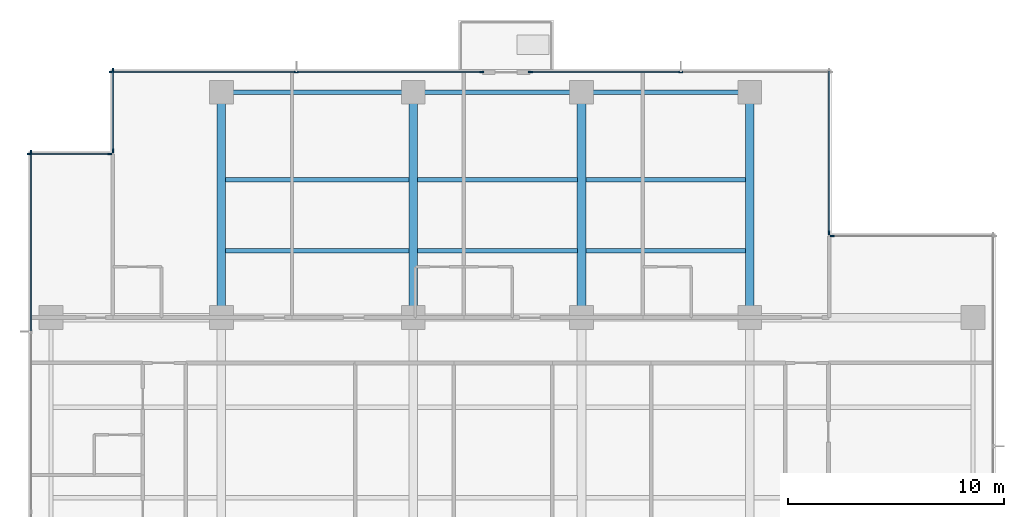
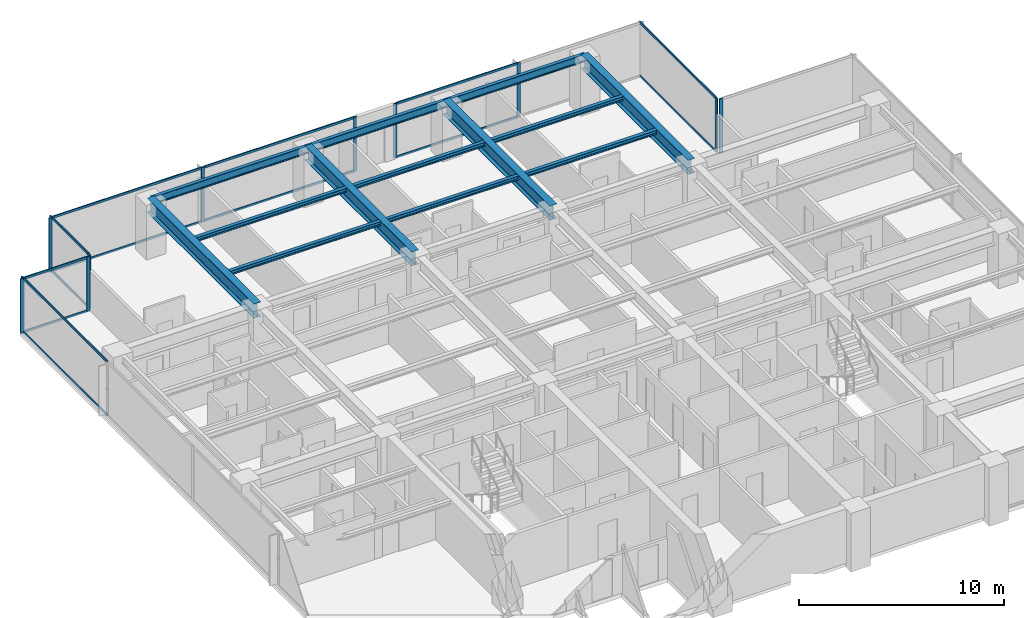
# One storey, part 4 of 16: 26 members, 13 beams, 7 elements without a shape of their own.
"""IFC4 building model written with IfcOpenShell, lengths in metres."""

from ifc_helpers import new_model, si_unit, direction, frame, origin, origin_2d, place, context, subcontext, project, spatial, rectangle, i_section, extrude, material, layer, layer_set, material_profile, profile_set, type_object, element, aggregate, save


model = new_model("IFC4")

# Units and contexts
model_context = context("Model", 3, precision=1e-05, world=origin(), true_north=direction((0.0, 1.0)))
body_context = subcontext(model_context, "Body", "Model", "MODEL_VIEW")
ifc_project = project(units=[si_unit("LENGTHUNIT", "METRE"), si_unit("AREAUNIT", "SQUARE_METRE"), si_unit("VOLUMEUNIT", "CUBIC_METRE"), si_unit("PLANEANGLEUNIT", "RADIAN"), si_unit("MASSUNIT", "GRAM", prefix="KILO")], contexts=[model_context])

# Site, building, storey
site_placement = place(None, origin())
site = spatial("IfcSite", under=ifc_project, at=site_placement, CompositionType="ELEMENT")
building_placement = place(site_placement, origin())
building = spatial("IfcBuilding", under=site, at=building_placement, Name="Qalmaran Belvedere Hotel", CompositionType="ELEMENT")
storey_placement = place(building_placement, frame((0.0, 0.0, 145.60009765625)))
storey = spatial("IfcBuildingStorey", under=building, at=storey_placement, Name="L36", CompositionType="ELEMENT", Elevation=145.60009765625)

# Beams
ifc_material_1 = material(Name="Steel S355JR", Category="steel")
ifc_material_profile_1 = material_profile(ifc_material_1, i_section(OverallWidth=0.201904296875, OverallDepth=0.2470703125, WebThickness=0.00732421875, FlangeThickness=0.010986328125, FilletRadius=0.011962890625, at=origin_2d()), Name="W250X49")
ifc_profile_set_1 = profile_set([ifc_material_profile_1], Name="Steel S355JR")
beam_type_1 = type_object("IfcBeamType", Name="BM-JST-W250X49", PredefinedType="JOIST", material=ifc_profile_set_1)
beam_1_placement = place(storey_placement, frame((20.498046875, 36.10009765625, 3.12646484375), z_axis=(1.0, 0.0, 0.0), x_axis=(0.0, 1.0, 0.0)))
element("IfcBeam", 1, at=beam_1_placement, inside=storey, type_object=beam_type_1, Name="L36 North Floor Joist 042", PredefinedType="JOIST", context=body_context, shape_type="SweptSolid", body=[
    extrude(i_section(OverallWidth=0.201904296875, OverallDepth=0.2470703125, WebThickness=0.00732421875, FlangeThickness=0.010986328125, FilletRadius=0.011962890625, at=origin_2d()), origin(), (0.0, 0.0, 1.0), 8.50390625),
])
for number, where, z_axis, x_axis, name in (
    (2, (29.39794921875, 36.10009765625, 3.12646484375), (1.0, 0.0, 0.0), (0.0, 1.0, 0.0), "L36 North Floor Joist 043"),
    (3, (37.197998046875, 36.10009765625, 3.12646484375), (1.0, 0.0, 0.0), (0.0, 1.0, 0.0), "L36 North Floor Joist 044"),
):
    element("IfcBeam", number, at=place(storey_placement, frame(where, z_axis=z_axis, x_axis=x_axis)), inside=storey, type_object=beam_type_1, Name=name, PredefinedType="JOIST", context=body_context, shape_type="SweptSolid", body=[
        extrude(i_section(OverallWidth=0.201904296875, OverallDepth=0.2470703125, WebThickness=0.00732421875, FlangeThickness=0.010986328125, FilletRadius=0.011962890625, at=origin_2d()), origin(), (0.0, 0.0, 1.0), 7.404052734375),
    ])
beam_2_placement = place(storey_placement, frame((20.498046875, 39.39990234375, 3.12646484375), z_axis=(1.0, 0.0, 0.0), x_axis=(0.0, 1.0, 0.0)))
element("IfcBeam", 4, at=beam_2_placement, inside=storey, type_object=beam_type_1, Name="L36 North Floor Joist 045", PredefinedType="JOIST", context=body_context, shape_type="SweptSolid", body=[
    extrude(i_section(OverallWidth=0.201904296875, OverallDepth=0.2470703125, WebThickness=0.00732421875, FlangeThickness=0.010986328125, FilletRadius=0.011962890625, at=origin_2d()), origin(), (0.0, 0.0, 1.0), 8.50390625),
])
for number, where, z_axis, x_axis, name in (
    (5, (29.39794921875, 39.39990234375, 3.12646484375), (1.0, 0.0, 0.0), (0.0, 1.0, 0.0), "L36 North Floor Joist 046"),
    (6, (37.197998046875, 39.39990234375, 3.12646484375), (1.0, 0.0, 0.0), (0.0, 1.0, 0.0), "L36 North Floor Joist 047"),
):
    element("IfcBeam", number, at=place(storey_placement, frame(where, z_axis=z_axis, x_axis=x_axis)), inside=storey, type_object=beam_type_1, Name=name, PredefinedType="JOIST", context=body_context, shape_type="SweptSolid", body=[
        extrude(i_section(OverallWidth=0.201904296875, OverallDepth=0.2470703125, WebThickness=0.00732421875, FlangeThickness=0.010986328125, FilletRadius=0.011962890625, at=origin_2d()), origin(), (0.0, 0.0, 1.0), 7.404052734375),
    ])
ifc_material_profile_2 = material_profile(ifc_material_1, i_section(OverallWidth=0.39990234375, OverallDepth=0.85498046875, WebThickness=0.018310546875, FlangeThickness=0.029296875, FilletRadius=0.02392578125, at=origin_2d()), Name="W840X299")
ifc_profile_set_2 = profile_set([ifc_material_profile_2], Name="Steel S355JR")
beam_type_2 = type_object("IfcBeamType", Name="BM-PG3-W840X299", PredefinedType="USERDEFINED", material=ifc_profile_set_2)
for number, where, z_axis, x_axis, name in (
    (7, (20.300048828125, 33.0, 2.822509765625), (0.0, 1.0, 0.0), (-1.0, 0.0, 0.0), "L36 North Bay Girder 15"),
    (8, (29.199951171875, 33.0, 2.822509765625), (0.0, 1.0, 0.0), (-1.0, 0.0, 0.0), "L36 North Bay Girder 17"),
    (9, (37.0, 33.0, 2.822509765625), (0.0, 1.0, 0.0), (-1.0, 0.0, 0.0), "L36 North Bay Girder 19"),
    (10, (44.800048828125, 33.0, 2.822509765625), (0.0, 1.0, 0.0), (-1.0, 0.0, 0.0), "L36 North Bay Girder 21"),
):
    element("IfcBeam", number, at=place(storey_placement, frame(where, z_axis=z_axis, x_axis=x_axis)), inside=storey, type_object=beam_type_2, Name=name, ObjectType="GIRDER", PredefinedType="USERDEFINED", context=body_context, shape_type="SweptSolid", body=[
        extrude(i_section(OverallWidth=0.39990234375, OverallDepth=0.85498046875, WebThickness=0.018310546875, FlangeThickness=0.029296875, FilletRadius=0.02392578125, at=origin_2d()), origin(), (0.0, 0.0, 1.0), 10.449951171875),
    ])
ifc_material_profile_3 = material_profile(ifc_material_1, i_section(OverallWidth=0.19189453125, OverallDepth=0.462890625, WebThickness=0.010498046875, FlangeThickness=0.017578125, FilletRadius=0.01611328125, at=origin_2d()), Name="W460X89")
ifc_profile_set_3 = profile_set([ifc_material_profile_3], Name="Steel S355JR")
beam_type_3 = type_object("IfcBeamType", Name="BM-SP2-W460X89", PredefinedType="SPANDREL", material=ifc_profile_set_3)
beam_3_placement = place(storey_placement, frame((20.300048828125, 43.449951171875, 3.018310546875), z_axis=(1.0, 0.0, 0.0), x_axis=(0.0, 1.0, 0.0)))
element("IfcBeam", 11, at=beam_3_placement, inside=storey, type_object=beam_type_3, Name="L36 Perimeter Spandrel 05", PredefinedType="SPANDREL", context=body_context, shape_type="SweptSolid", body=[
    extrude(i_section(OverallWidth=0.19189453125, OverallDepth=0.462890625, WebThickness=0.010498046875, FlangeThickness=0.017578125, FilletRadius=0.01611328125, at=origin_2d()), origin(), (0.0, 0.0, 1.0), 8.89990234375),
])
for number, where, z_axis, x_axis, name in (
    (12, (29.199951171875, 43.449951171875, 3.018310546875), (1.0, 0.0, 0.0), (0.0, 1.0, 0.0), "L36 Perimeter Spandrel 06"),
    (13, (37.0, 43.449951171875, 3.018310546875), (1.0, 0.0, 0.0), (0.0, 1.0, 0.0), "L36 Perimeter Spandrel 07"),
):
    element("IfcBeam", number, at=place(storey_placement, frame(where, z_axis=z_axis, x_axis=x_axis)), inside=storey, type_object=beam_type_3, Name=name, PredefinedType="SPANDREL", context=body_context, shape_type="SweptSolid", body=[
        extrude(i_section(OverallWidth=0.19189453125, OverallDepth=0.462890625, WebThickness=0.010498046875, FlangeThickness=0.017578125, FilletRadius=0.01611328125, at=origin_2d()), origin(), (0.0, 0.0, 1.0), 7.800048828125),
    ])

# Curtain wall, member
ifc_material_2 = material(Name="Anodised Bronze Aluminium", Category="aluminium")
ifc_layer = layer(ifc_material_2, 0.195068359375, Name="Anodised Bronze Aluminium")
ifc_layer_set = layer_set([ifc_layer], Name="Anodised Bronze Aluminium")
curtain_wall_type = type_object("IfcCurtainWallType", Name="CW4-TOWER-HIGHMID", PredefinedType="NOTDEFINED", material=ifc_layer_set)
curtain_wall_1_placement = place(storey_placement, origin())
curtain_wall_1 = element("IfcCurtainWall", 14, at=curtain_wall_1_placement, inside=storey, type_object=curtain_wall_type, Name="L36 Curtain Wall CW4", PredefinedType="NOTDEFINED")
ifc_material_profile_4 = material_profile(ifc_material_2, rectangle(XDim=0.070068359375, YDim=0.18994140625, at=origin_2d()), Name="CWM70X190")
ifc_profile_set_4 = profile_set([ifc_material_profile_4], Name="Anodised Bronze Aluminium")
member_type_1 = type_object("IfcMemberType", Name="CWM-70X190", PredefinedType="MULLION", material=ifc_profile_set_4)
member_1_placement = place(storey_placement, frame((48.635009765625, 36.780029296875, 0.0), z_axis=(0.0, 0.0, 1.0), x_axis=(0.0, -1.0, 0.0)))
member_1 = element("IfcMember", 15, at=member_1_placement, type_object=member_type_1, Name="CW4 mullion 2", PredefinedType="MULLION", context=body_context, shape_type="SweptSolid", body=[
    extrude(rectangle(XDim=0.070068359375, YDim=0.18994140625, at=origin_2d()), origin(), (0.0, 0.0, 1.0), 3.25),
])
aggregate(curtain_wall_1, [member_1])

curtain_wall_2_placement = place(storey_placement, origin())
curtain_wall_2 = element("IfcCurtainWall", 16, at=curtain_wall_2_placement, inside=storey, type_object=curtain_wall_type, Name="L36 Curtain Wall CW4", PredefinedType="NOTDEFINED")
member_2_placement = place(storey_placement, frame((48.47998046875, 36.93505859375, 0.0), z_axis=(0.0, 0.0, 1.0), x_axis=(-1.0, 0.0, 0.0)))
member_2 = element("IfcMember", 17, at=member_2_placement, type_object=member_type_1, Name="CW4 mullion 1", PredefinedType="MULLION", context=body_context, shape_type="SweptSolid", body=[
    extrude(rectangle(XDim=0.070068359375, YDim=0.18994140625, at=origin_2d()), origin(), (0.0, 0.0, 1.0), 3.25),
])

# Curtain wall, members
curtain_wall_3_placement = place(storey_placement, origin())
curtain_wall_3 = element("IfcCurtainWall", 18, at=curtain_wall_3_placement, inside=storey, type_object=curtain_wall_type, Name="L36 Curtain Wall CW4", PredefinedType="NOTDEFINED")
member_3_placement = place(storey_placement, frame((32.364990234375, 44.3798828125, 0.0), z_axis=(0.0, 0.0, 1.0), x_axis=(0.0, -1.0, 0.0)))
member_3 = element("IfcMember", 19, at=member_3_placement, type_object=member_type_1, Name="CW4 mullion 1", PredefinedType="MULLION", context=body_context, shape_type="SweptSolid", body=[
    extrude(rectangle(XDim=0.070068359375, YDim=0.18994140625, at=origin_2d()), origin(), (0.0, 0.0, 1.0), 3.25),
])
member_4_placement = place(storey_placement, frame((23.77490234375, 44.3798828125, 0.0), z_axis=(0.0, 0.0, 1.0), x_axis=(0.0, -1.0, 0.0)))
member_4 = element("IfcMember", 20, at=member_4_placement, type_object=member_type_1, Name="CW4 mullion 2", PredefinedType="MULLION", context=body_context, shape_type="SweptSolid", body=[
    extrude(rectangle(XDim=0.070068359375, YDim=0.18994140625, at=origin_2d()), origin(), (0.0, 0.0, 1.0), 3.25),
])
member_5_placement = place(storey_placement, frame((15.18505859375, 44.3798828125, 0.0), z_axis=(0.0, 0.0, 1.0), x_axis=(0.0, -1.0, 0.0)))
member_5 = element("IfcMember", 21, at=member_5_placement, type_object=member_type_1, Name="CW4 mullion 3", PredefinedType="MULLION", context=body_context, shape_type="SweptSolid", body=[
    extrude(rectangle(XDim=0.070068359375, YDim=0.18994140625, at=origin_2d()), origin(), (0.0, 0.0, 1.0), 3.25),
])

curtain_wall_4_placement = place(storey_placement, origin())
curtain_wall_4 = element("IfcCurtainWall", 22, at=curtain_wall_4_placement, inside=storey, type_object=curtain_wall_type, Name="L36 Curtain Wall CW4", PredefinedType="NOTDEFINED")
member_6_placement = place(storey_placement, frame((41.60009765625, 44.3798828125, 0.0), z_axis=(0.0, 0.0, 1.0), x_axis=(0.0, -1.0, 0.0)))
member_6 = element("IfcMember", 23, at=member_6_placement, type_object=member_type_1, Name="CW4 mullion 2", PredefinedType="MULLION", context=body_context, shape_type="SweptSolid", body=[
    extrude(rectangle(XDim=0.070068359375, YDim=0.18994140625, at=origin_2d()), origin(), (0.0, 0.0, 1.0), 3.25),
])
member_7_placement = place(storey_placement, frame((34.635009765625, 44.3798828125, 0.0), z_axis=(0.0, 0.0, 1.0), x_axis=(0.0, -1.0, 0.0)))
member_7 = element("IfcMember", 24, at=member_7_placement, type_object=member_type_1, Name="CW4 mullion 3", PredefinedType="MULLION", context=body_context, shape_type="SweptSolid", body=[
    extrude(rectangle(XDim=0.070068359375, YDim=0.18994140625, at=origin_2d()), origin(), (0.0, 0.0, 1.0), 3.25),
])

curtain_wall_5_placement = place(storey_placement, origin())
curtain_wall_5 = element("IfcCurtainWall", 25, at=curtain_wall_5_placement, inside=storey, type_object=curtain_wall_type, Name="L36 Curtain Wall CW4", PredefinedType="NOTDEFINED")
member_8_placement = place(storey_placement, frame((15.27001953125, 44.465087890625, 0.0), z_axis=(0.0, 0.0, 1.0), x_axis=(1.0, 0.0, 0.0)))
member_8 = element("IfcMember", 26, at=member_8_placement, type_object=member_type_1, Name="CW4 mullion 1", PredefinedType="MULLION", context=body_context, shape_type="SweptSolid", body=[
    extrude(rectangle(XDim=0.070068359375, YDim=0.18994140625, at=origin_2d()), origin(), (0.0, 0.0, 1.0), 3.25),
])
member_9_placement = place(storey_placement, frame((15.27001953125, 40.735107421875, 0.0), z_axis=(0.0, 0.0, 1.0), x_axis=(1.0, 0.0, 0.0)))
member_9 = element("IfcMember", 27, at=member_9_placement, type_object=member_type_1, Name="CW4 mullion 2", PredefinedType="MULLION", context=body_context, shape_type="SweptSolid", body=[
    extrude(rectangle(XDim=0.070068359375, YDim=0.18994140625, at=origin_2d()), origin(), (0.0, 0.0, 1.0), 3.25),
])

curtain_wall_6_placement = place(storey_placement, origin())
curtain_wall_6 = element("IfcCurtainWall", 28, at=curtain_wall_6_placement, inside=storey, type_object=curtain_wall_type, Name="L36 Curtain Wall CW4", PredefinedType="NOTDEFINED")
member_10_placement = place(storey_placement, frame((15.114990234375, 40.580078125, 0.0), z_axis=(0.0, 0.0, 1.0), x_axis=(0.0, -1.0, 0.0)))
member_10 = element("IfcMember", 29, at=member_10_placement, type_object=member_type_1, Name="CW4 mullion 1", PredefinedType="MULLION", context=body_context, shape_type="SweptSolid", body=[
    extrude(rectangle(XDim=0.070068359375, YDim=0.18994140625, at=origin_2d()), origin(), (0.0, 0.0, 1.0), 3.25),
])
member_11_placement = place(storey_placement, frame((11.385009765625, 40.580078125, 0.0), z_axis=(0.0, 0.0, 1.0), x_axis=(0.0, -1.0, 0.0)))
member_11 = element("IfcMember", 30, at=member_11_placement, type_object=member_type_1, Name="CW4 mullion 2", PredefinedType="MULLION", context=body_context, shape_type="SweptSolid", body=[
    extrude(rectangle(XDim=0.070068359375, YDim=0.18994140625, at=origin_2d()), origin(), (0.0, 0.0, 1.0), 3.25),
])

# Curtain wall, member
curtain_wall_7_placement = place(storey_placement, origin())
curtain_wall_7 = element("IfcCurtainWall", 31, at=curtain_wall_7_placement, inside=storey, type_object=curtain_wall_type, Name="L36 Curtain Wall CW4", PredefinedType="NOTDEFINED")
member_12_placement = place(storey_placement, frame((11.469970703125, 40.6650390625, 0.0), z_axis=(0.0, 0.0, 1.0), x_axis=(1.0, 0.0, 0.0)))
member_12 = element("IfcMember", 32, at=member_12_placement, type_object=member_type_1, Name="CW4 mullion 1", PredefinedType="MULLION", context=body_context, shape_type="SweptSolid", body=[
    extrude(rectangle(XDim=0.070068359375, YDim=0.18994140625, at=origin_2d()), origin(), (0.0, 0.0, 1.0), 3.25),
])

# Member
ifc_material_profile_5 = material_profile(ifc_material_2, rectangle(XDim=0.06494140625, YDim=0.1298828125, at=origin_2d()), Name="CWT65X130")
ifc_profile_set_5 = profile_set([ifc_material_profile_5], Name="Anodised Bronze Aluminium")
member_type_2 = type_object("IfcMemberType", Name="CWT-65X130", PredefinedType="USERDEFINED", material=ifc_profile_set_5)
member_13_placement = place(storey_placement, frame((48.47998046875, 36.969970703125, 0.032470703125), z_axis=(0.0, 1.0, 0.0), x_axis=(-1.0, 0.0, 0.0)))
member_13 = element("IfcMember", 33, at=member_13_placement, type_object=member_type_2, Name="CW4 transom 1.1", ObjectType="TRANSOM", PredefinedType="USERDEFINED", context=body_context, shape_type="SweptSolid", body=[
    extrude(rectangle(XDim=0.06494140625, YDim=0.1298828125, at=origin_2d()), origin(), (0.0, 0.0, 1.0), 7.4599609375),
])

member_14_placement = place(storey_placement, frame((48.47998046875, 36.969970703125, 3.21728515625), z_axis=(0.0, 1.0, 0.0), x_axis=(-1.0, 0.0, 0.0)))
member_14 = element("IfcMember", 34, at=member_14_placement, type_object=member_type_2, Name="CW4 transom 1.2", ObjectType="TRANSOM", PredefinedType="USERDEFINED", context=body_context, shape_type="SweptSolid", body=[
    extrude(rectangle(XDim=0.06494140625, YDim=0.1298828125, at=origin_2d()), origin(), (0.0, 0.0, 1.0), 7.4599609375),
])

aggregate(curtain_wall_2, [member_2, member_13, member_14])

member_15_placement = place(storey_placement, frame((32.330078125, 44.3798828125, 0.032470703125), z_axis=(-1.0, 0.0, 0.0), x_axis=(0.0, -1.0, 0.0)))
member_15 = element("IfcMember", 35, at=member_15_placement, type_object=member_type_2, Name="CW4 transom 1.1", ObjectType="TRANSOM", PredefinedType="USERDEFINED", context=body_context, shape_type="SweptSolid", body=[
    extrude(rectangle(XDim=0.06494140625, YDim=0.1298828125, at=origin_2d()), origin(), (0.0, 0.0, 1.0), 8.52001953125),
])

member_16_placement = place(storey_placement, frame((32.330078125, 44.3798828125, 3.21728515625), z_axis=(-1.0, 0.0, 0.0), x_axis=(0.0, -1.0, 0.0)))
member_16 = element("IfcMember", 36, at=member_16_placement, type_object=member_type_2, Name="CW4 transom 1.2", ObjectType="TRANSOM", PredefinedType="USERDEFINED", context=body_context, shape_type="SweptSolid", body=[
    extrude(rectangle(XDim=0.06494140625, YDim=0.1298828125, at=origin_2d()), origin(), (0.0, 0.0, 1.0), 8.52001953125),
])

member_17_placement = place(storey_placement, frame((23.739990234375, 44.3798828125, 0.032470703125), z_axis=(-1.0, 0.0, 0.0), x_axis=(0.0, -1.0, 0.0)))
member_17 = element("IfcMember", 37, at=member_17_placement, type_object=member_type_2, Name="CW4 transom 2.1", ObjectType="TRANSOM", PredefinedType="USERDEFINED", context=body_context, shape_type="SweptSolid", body=[
    extrude(rectangle(XDim=0.06494140625, YDim=0.1298828125, at=origin_2d()), origin(), (0.0, 0.0, 1.0), 8.52001953125),
])

member_18_placement = place(storey_placement, frame((23.739990234375, 44.3798828125, 3.21728515625), z_axis=(-1.0, 0.0, 0.0), x_axis=(0.0, -1.0, 0.0)))
member_18 = element("IfcMember", 38, at=member_18_placement, type_object=member_type_2, Name="CW4 transom 2.2", ObjectType="TRANSOM", PredefinedType="USERDEFINED", context=body_context, shape_type="SweptSolid", body=[
    extrude(rectangle(XDim=0.06494140625, YDim=0.1298828125, at=origin_2d()), origin(), (0.0, 0.0, 1.0), 8.52001953125),
])

aggregate(curtain_wall_3, [member_3, member_4, member_5, member_15, member_16, member_17, member_18])

member_19_placement = place(storey_placement, frame((41.56494140625, 44.3798828125, 0.032470703125), z_axis=(-1.0, 0.0, 0.0), x_axis=(0.0, -1.0, 0.0)))
member_19 = element("IfcMember", 39, at=member_19_placement, type_object=member_type_2, Name="CW4 transom 2.1", ObjectType="TRANSOM", PredefinedType="USERDEFINED", context=body_context, shape_type="SweptSolid", body=[
    extrude(rectangle(XDim=0.06494140625, YDim=0.1298828125, at=origin_2d()), origin(), (0.0, 0.0, 1.0), 6.89501953125),
])

member_20_placement = place(storey_placement, frame((41.56494140625, 44.3798828125, 3.21728515625), z_axis=(-1.0, 0.0, 0.0), x_axis=(0.0, -1.0, 0.0)))
member_20 = element("IfcMember", 40, at=member_20_placement, type_object=member_type_2, Name="CW4 transom 2.2", ObjectType="TRANSOM", PredefinedType="USERDEFINED", context=body_context, shape_type="SweptSolid", body=[
    extrude(rectangle(XDim=0.06494140625, YDim=0.1298828125, at=origin_2d()), origin(), (0.0, 0.0, 1.0), 6.89501953125),
])

aggregate(curtain_wall_4, [member_6, member_7, member_19, member_20])

member_21_placement = place(storey_placement, frame((15.27001953125, 44.429931640625, 0.032470703125), z_axis=(0.0, -1.0, 0.0), x_axis=(1.0, 0.0, 0.0)))
member_21 = element("IfcMember", 41, at=member_21_placement, type_object=member_type_2, Name="CW4 transom 1.1", ObjectType="TRANSOM", PredefinedType="USERDEFINED", context=body_context, shape_type="SweptSolid", body=[
    extrude(rectangle(XDim=0.06494140625, YDim=0.1298828125, at=origin_2d()), origin(), (0.0, 0.0, 1.0), 3.659912109375),
])

member_22_placement = place(storey_placement, frame((15.27001953125, 44.429931640625, 3.21728515625), z_axis=(0.0, -1.0, 0.0), x_axis=(1.0, 0.0, 0.0)))
member_22 = element("IfcMember", 42, at=member_22_placement, type_object=member_type_2, Name="CW4 transom 1.2", ObjectType="TRANSOM", PredefinedType="USERDEFINED", context=body_context, shape_type="SweptSolid", body=[
    extrude(rectangle(XDim=0.06494140625, YDim=0.1298828125, at=origin_2d()), origin(), (0.0, 0.0, 1.0), 3.659912109375),
])

aggregate(curtain_wall_5, [member_8, member_9, member_21, member_22])

member_23_placement = place(storey_placement, frame((15.080078125, 40.580078125, 0.032470703125), z_axis=(-1.0, 0.0, 0.0), x_axis=(0.0, -1.0, 0.0)))
member_23 = element("IfcMember", 43, at=member_23_placement, type_object=member_type_2, Name="CW4 transom 1.1", ObjectType="TRANSOM", PredefinedType="USERDEFINED", context=body_context, shape_type="SweptSolid", body=[
    extrude(rectangle(XDim=0.06494140625, YDim=0.1298828125, at=origin_2d()), origin(), (0.0, 0.0, 1.0), 3.66015625),
])

member_24_placement = place(storey_placement, frame((15.080078125, 40.580078125, 3.21728515625), z_axis=(-1.0, 0.0, 0.0), x_axis=(0.0, -1.0, 0.0)))
member_24 = element("IfcMember", 44, at=member_24_placement, type_object=member_type_2, Name="CW4 transom 1.2", ObjectType="TRANSOM", PredefinedType="USERDEFINED", context=body_context, shape_type="SweptSolid", body=[
    extrude(rectangle(XDim=0.06494140625, YDim=0.1298828125, at=origin_2d()), origin(), (0.0, 0.0, 1.0), 3.66015625),
])

aggregate(curtain_wall_6, [member_10, member_11, member_23, member_24])

member_25_placement = place(storey_placement, frame((11.469970703125, 40.6298828125, 0.032470703125), z_axis=(0.0, -1.0, 0.0), x_axis=(1.0, 0.0, 0.0)))
member_25 = element("IfcMember", 45, at=member_25_placement, type_object=member_type_2, Name="CW4 transom 1.1", ObjectType="TRANSOM", PredefinedType="USERDEFINED", context=body_context, shape_type="SweptSolid", body=[
    extrude(rectangle(XDim=0.06494140625, YDim=0.1298828125, at=origin_2d()), origin(), (0.0, 0.0, 1.0), 8.244873046875),
])

member_26_placement = place(storey_placement, frame((11.469970703125, 40.6298828125, 3.21728515625), z_axis=(0.0, -1.0, 0.0), x_axis=(1.0, 0.0, 0.0)))
member_26 = element("IfcMember", 46, at=member_26_placement, type_object=member_type_2, Name="CW4 transom 1.2", ObjectType="TRANSOM", PredefinedType="USERDEFINED", context=body_context, shape_type="SweptSolid", body=[
    extrude(rectangle(XDim=0.06494140625, YDim=0.1298828125, at=origin_2d()), origin(), (0.0, 0.0, 1.0), 8.244873046875),
])

aggregate(curtain_wall_7, [member_12, member_25, member_26])

save(model, "model.ifc")
